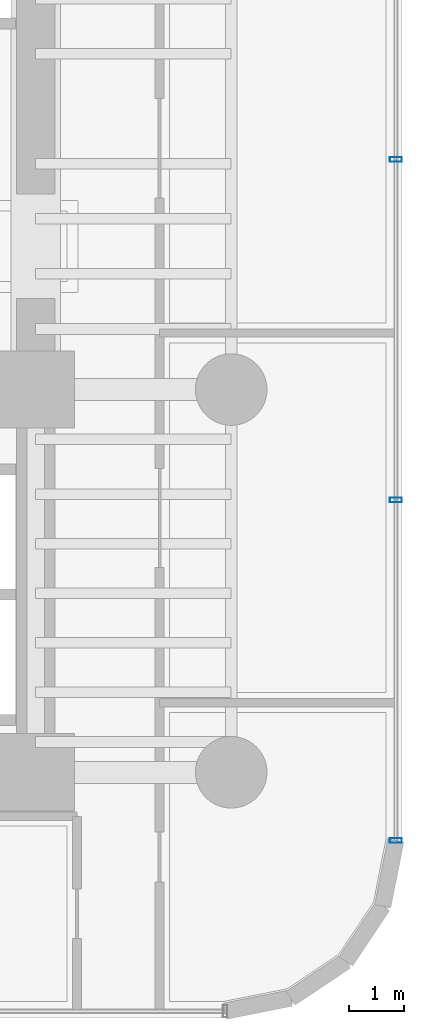
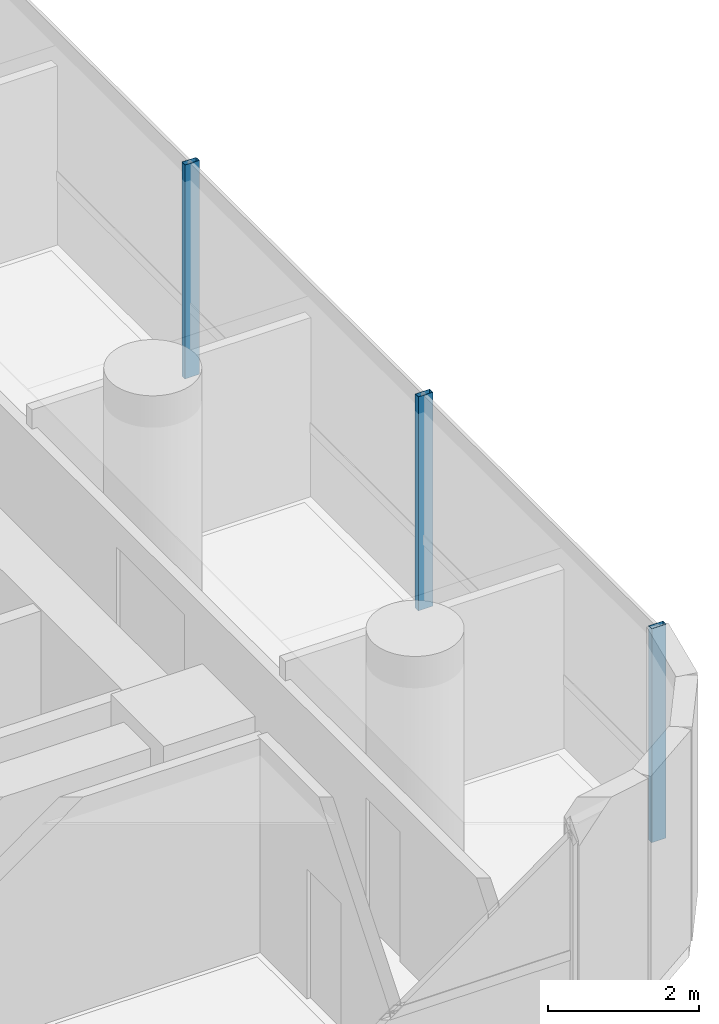
# One storey, part 26 of 41: 3 members, 1 element without a shape of its own.
"""IFC4 building model written with IfcOpenShell, lengths in metres."""

from ifc_helpers import new_model, si_unit, direction, frame, origin, origin_2d, place, context, subcontext, project, spatial, hollow_rectangle, extrude, source, transform, mapped, material, material_profile, profile_set, type_object, element, aggregate, save


model = new_model("IFC4")

# Units and contexts
model_context = context("Model", 3, precision=1e-05, world=origin(), true_north=direction((0.0, 1.0)))
body_context = subcontext(model_context, "Body", "Model", "MODEL_VIEW")
ifc_project = project(units=[si_unit("LENGTHUNIT", "METRE"), si_unit("AREAUNIT", "SQUARE_METRE"), si_unit("VOLUMEUNIT", "CUBIC_METRE"), si_unit("PLANEANGLEUNIT", "RADIAN"), si_unit("MASSUNIT", "GRAM", prefix="KILO")], contexts=[model_context])

# Site, building, storey
site_placement = place(None, origin())
site = spatial("IfcSite", under=ifc_project, at=site_placement, CompositionType="ELEMENT")
building_placement = place(site_placement, origin())
building = spatial("IfcBuilding", under=site, at=building_placement, Name="Valdorenza Pilgrim Sanctuary Tower", CompositionType="ELEMENT")
storey_placement = place(building_placement, frame((0.0, 0.0, 85.199951171875)))
storey = spatial("IfcBuildingStorey", under=building, at=storey_placement, Name="L21", CompositionType="ELEMENT", Elevation=85.199951171875)

# Curtain wall, members
ifc_material_1 = material(Name="Curtain-wall IGU glazing", Category="glass")
curtain_wall_type = type_object("IfcCurtainWallType", Name="CW-SYS-03", PredefinedType="NOTDEFINED", material=ifc_material_1)
curtain_wall_placement = place(storey_placement, origin())
curtain_wall = element("IfcCurtainWall", 1, at=curtain_wall_placement, inside=storey, type_object=curtain_wall_type, Name="L21 Curtain Wall CW-L21-1-21", PredefinedType="NOTDEFINED")
ifc_material_2 = material(Name="Anodised aluminium AW-6060", Category="aluminium")
ifc_material_profile = material_profile(ifc_material_2, hollow_rectangle(XDim=0.0849609375, YDim=0.219970703125, WallThickness=0.0048828125, at=origin_2d()), Name="ALU-M 220x85x5")
ifc_profile_set = profile_set([ifc_material_profile], Name="Anodised aluminium AW-6060")
member_type = type_object("IfcMemberType", Name="CW-MUL-03", PredefinedType="MULLION", material=ifc_profile_set)
shared_shape = source(origin(), body_context, "Body", "SweptSolid", [
    extrude(hollow_rectangle(XDim=0.0849609375, YDim=0.219970703125, WallThickness=0.0048828125, at=origin_2d()), origin(), (0.0, 0.0, 1.0), 3.4599609375),
])
member_1_placement = place(storey_placement, frame((31.389892578125, 1.577880859375, 0.0), z_axis=(0.0, 0.0, 1.0), x_axis=(0.0, -1.0, 0.0)))
member_1 = element("IfcMember", 2, at=member_1_placement, type_object=member_type, Name="CW-L21-1-21 Mullion 3", PredefinedType="MULLION", context=body_context, shape_type="MappedRepresentation", body=[
    mapped(shared_shape, transform((0.0, 0.0, 0.0), x_axis=(1.0, 0.0, 0.0), y_axis=(0.0, 1.0, 0.0), z_axis=(0.0, 0.0, 1.0), scale=1.0)),
])
member_2_placement = place(storey_placement, frame((31.389892578125, -4.605712890625, 0.0), z_axis=(0.0, 0.0, 1.0), x_axis=(0.0, -1.0, 0.0)))
member_2 = element("IfcMember", 3, at=member_2_placement, type_object=member_type, Name="CW-L21-1-21 Mullion 4", PredefinedType="MULLION", context=body_context, shape_type="MappedRepresentation", body=[
    mapped(shared_shape, transform((0.0, 0.0, 0.0), x_axis=(1.0, 0.0, 0.0), y_axis=(0.0, 1.0, 0.0), z_axis=(0.0, 0.0, 1.0), scale=1.0)),
])
member_3_placement = place(storey_placement, frame((31.389892578125, -10.789306640625, 0.0), z_axis=(0.0, 0.0, 1.0), x_axis=(0.0, -1.0, 0.0)))
member_3 = element("IfcMember", 4, at=member_3_placement, type_object=member_type, Name="CW-L21-1-21 Mullion 5", PredefinedType="MULLION", context=body_context, shape_type="MappedRepresentation", body=[
    mapped(shared_shape, transform((0.0, 0.0, 0.0), x_axis=(1.0, 0.0, 0.0), y_axis=(0.0, 1.0, 0.0), z_axis=(0.0, 0.0, 1.0), scale=1.0)),
])
aggregate(curtain_wall, [member_1, member_2, member_3])

save(model, "model.ifc")
